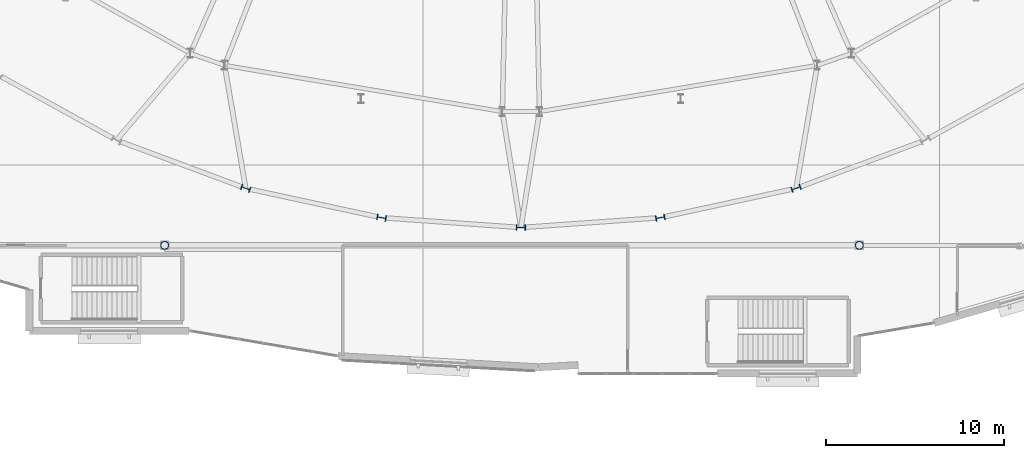
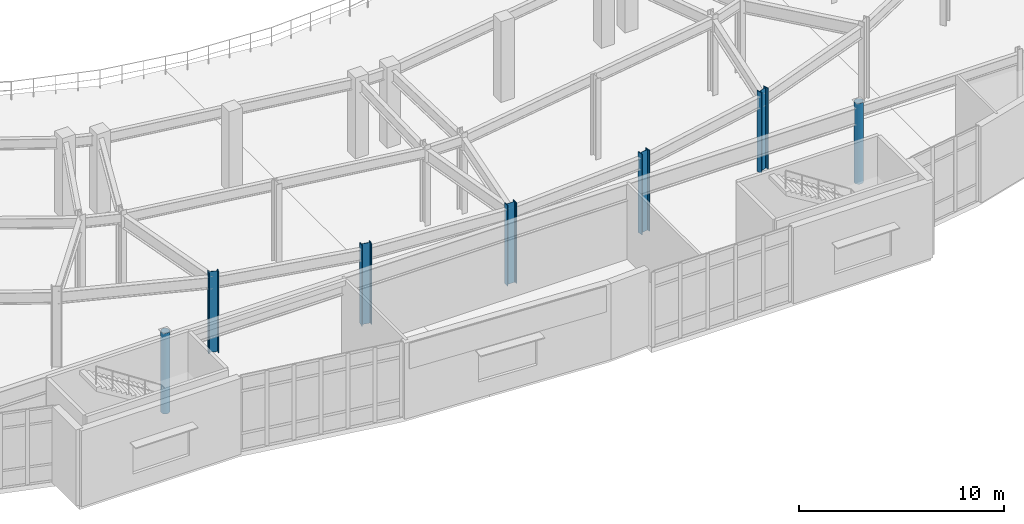
# One storey, part 6 of 86: 7 columns.
"""IFC4 building model written with IfcOpenShell, lengths in metres."""

from ifc_helpers import new_model, si_unit, direction, frame, origin, origin_2d, place, context, subcontext, project, spatial, hollow_circle, i_section, extrude, material, material_profile, profile_set, type_object, element, save


model = new_model("IFC4")

# Units and contexts
model_context = context("Model", 3, precision=1e-05, world=origin(), true_north=direction((0.0, 1.0)))
body_context = subcontext(model_context, "Body", "Model", "MODEL_VIEW")
ifc_project = project(units=[si_unit("LENGTHUNIT", "METRE"), si_unit("AREAUNIT", "SQUARE_METRE"), si_unit("VOLUMEUNIT", "CUBIC_METRE"), si_unit("PLANEANGLEUNIT", "RADIAN"), si_unit("MASSUNIT", "GRAM", prefix="KILO")], contexts=[model_context])

# Site, building, storey
site_placement = place(None, origin())
site = spatial("IfcSite", under=ifc_project, at=site_placement, CompositionType="ELEMENT")
building_placement = place(site_placement, origin())
building = spatial("IfcBuilding", under=site, at=building_placement, Name="Glasvene Arena", CompositionType="ELEMENT")
storey_placement = place(building_placement, frame((0.0, 0.0, 5.39990234375)))
storey = spatial("IfcBuildingStorey", under=building, at=storey_placement, Name="L01", CompositionType="ELEMENT", Elevation=5.39990234375)

# Columns
ifc_material = material(Name="Steel S355J2", Category="steel")
ifc_material_profile_1 = material_profile(ifc_material, i_section(OverallWidth=0.305908203125, OverallDepth=0.52392578125, WebThickness=0.02099609375, FlangeThickness=0.0400390625, FilletRadius=0.027099609375, at=origin_2d()), Name="HEM 500")
ifc_profile_set_1 = profile_set([ifc_material_profile_1], Name="Steel S355J2")
column_type_1 = type_object("IfcColumnType", Name="COL-RING-HEM500", PredefinedType="COLUMN", material=ifc_profile_set_1)
for number, where, z_axis, x_axis, name in (
    (1, (76.54931640625, 30.202392578125, 0.0), (0.0, 0.0, 1.0), (-0.339558864524, -0.94058480613, 0.0), "Bowl ring column R29 L01"),
    (2, (84.17822265625, 28.553955078125, 0.0), (0.0, 0.0, 1.0), (-0.173304404339, -0.984868307662, 0.0), "Bowl ring column R30 L01"),
    (3, (92.0, 28.0, 0.0), (0.0, 0.0, 1.0), (0.0, -1.0, 0.0), "Bowl ring column R31 L01"),
    (4, (99.82177734375, 28.553955078125, 0.0), (0.0, 0.0, 1.0), (0.173304404339, -0.984868307662, 0.0), "Bowl ring column R32 L01"),
    (5, (107.45068359375, 30.202392578125, 0.0), (0.0, 0.0, 1.0), (0.339558864524, -0.94058480613, 0.0), "Bowl ring column R33 L01"),
):
    element("IfcColumn", number, at=place(storey_placement, frame(where, z_axis=z_axis, x_axis=x_axis)), inside=storey, type_object=column_type_1, Name=name, PredefinedType="COLUMN", context=body_context, shape_type="SweptSolid", body=[
        extrude(i_section(OverallWidth=0.305908203125, OverallDepth=0.52392578125, WebThickness=0.02099609375, FlangeThickness=0.0400390625, FilletRadius=0.027099609375, at=origin_2d()), origin(), (0.0, 0.0, 1.0), 4.800048828125),
    ])
ifc_material_profile_2 = material_profile(ifc_material, hollow_circle(Radius=0.228515625, WallThickness=0.02001953125, at=origin_2d()), Name="CHS 457.0x20.0")
ifc_profile_set_2 = profile_set([ifc_material_profile_2], Name="Steel S355J2")
column_type_2 = type_object("IfcColumnType", Name="COL-W-CHS457", PredefinedType="COLUMN", material=ifc_profile_set_2)
for number, where, z_axis, x_axis, name in (
    (6, (72.0, 27.0, 0.0), (0.0, 0.0, 1.0), (1.0, 0.0, 0.0), "Grid column 9-4 L01"),
    (7, (111.0, 27.0, 0.0), (0.0, 0.0, 1.0), (1.0, 0.0, 0.0), "Grid column 13-4 L01"),
):
    element("IfcColumn", number, at=place(storey_placement, frame(where, z_axis=z_axis, x_axis=x_axis)), inside=storey, type_object=column_type_2, Name=name, PredefinedType="COLUMN", context=body_context, shape_type="SweptSolid", body=[
        extrude(hollow_circle(Radius=0.228515625, WallThickness=0.02001953125, at=origin_2d()), origin(), (0.0, 0.0, 1.0), 4.800048828125),
    ])

save(model, "model.ifc")
